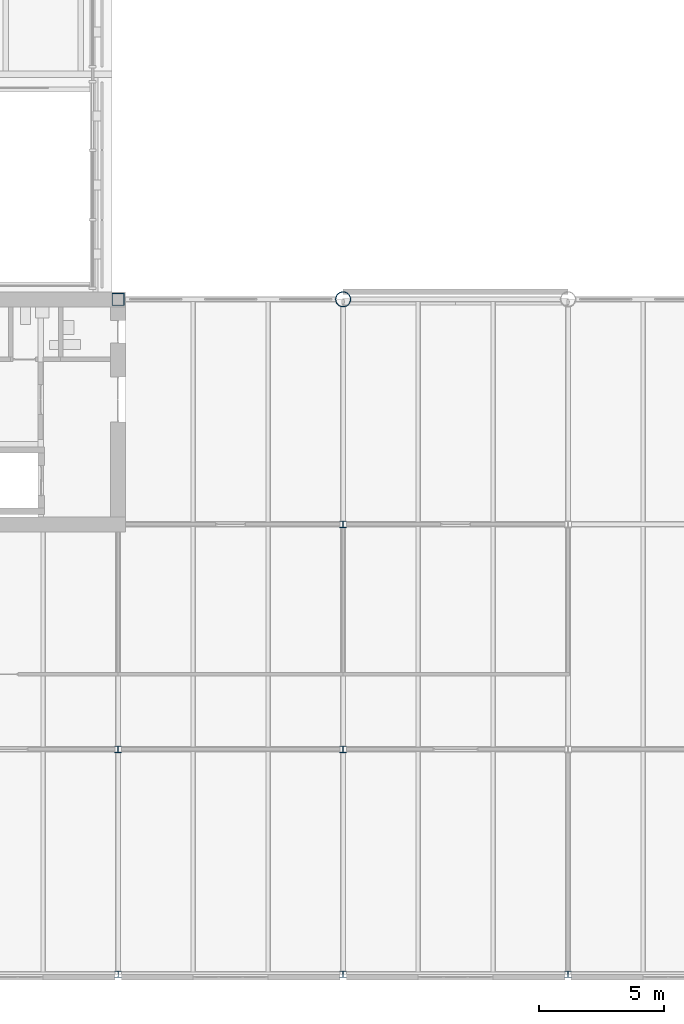
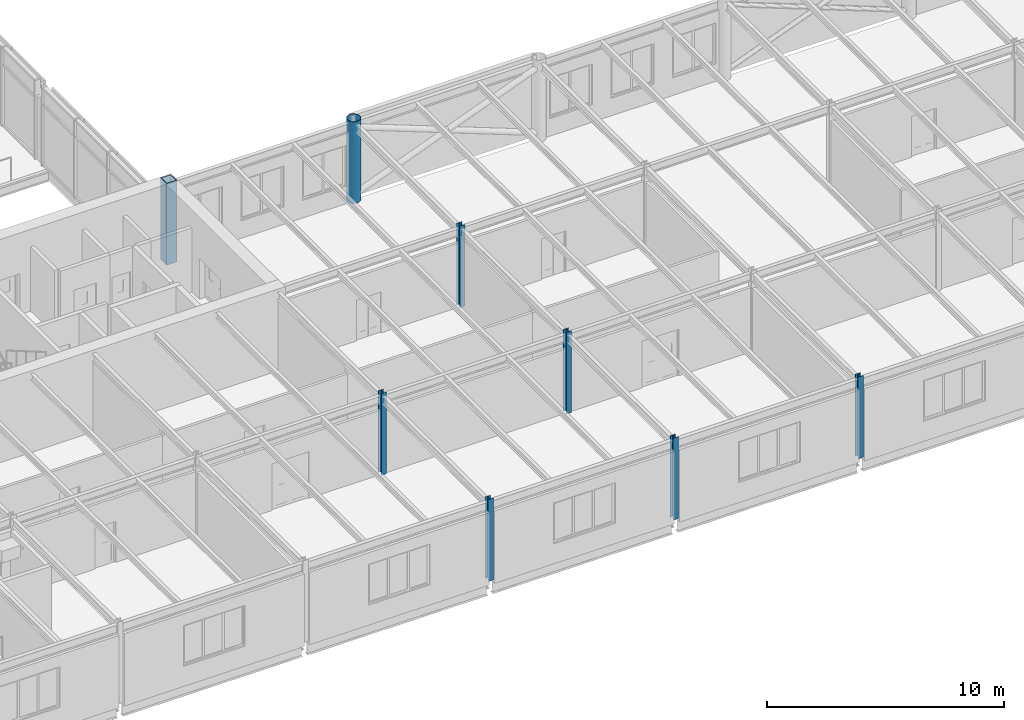
# One storey, part 2 of 123: 8 columns.
"""IFC4 building model written with IfcOpenShell, lengths in metres."""

import ifcopenshell
import ifcopenshell.guid

model = None  # the IFC model being written
_history = None  # IfcOwnerHistory: only IFC2X3 demands one
_inside = {}  # id of a spatial element -> (the spatial element, [elements in it])
_under = {}  # id of a project, library or spatial element -> (it, [spatial elements below it])
_declared = {}  # id of a project -> (the project, [libraries it declares])
_typed = {}  # id of a type object -> (the type object, [elements of that type])
_made_of = {}  # id of a material, layer set ... -> (it, [elements and type objects made of it])


def new_model(schema):
    """Start an empty IFC model of exactly this schema.

    Asked for "IFC4X3", IfcOpenShell would pick the latest addendum, in which some entities
    have other attributes; the version numbers below select the first issue.
    IFC2X3 requires an IfcOwnerHistory on every rooted entity: one is made here for all.
    """
    global model, _history
    if schema == "IFC4X3":
        model = ifcopenshell.file(schema_version=(4, 3, 0, 0))
    else:
        model = ifcopenshell.file(schema=schema)
    _inside.clear()
    _under.clear()
    _declared.clear()
    _typed.clear()
    _made_of.clear()
    _history = None
    if model.schema == "IFC2X3":
        org = make("IfcOrganization", Name="unknown")
        user = make(
            "IfcPersonAndOrganization",
            ThePerson=make("IfcPerson", FamilyName="unknown"),
            TheOrganization=org,
        )
        app = make(
            "IfcApplication",
            ApplicationDeveloper=org,
            Version="unknown",
            ApplicationFullName="unknown",
            ApplicationIdentifier="unknown",
        )
        _history = make(
            "IfcOwnerHistory",
            OwningUser=user,
            OwningApplication=app,
            ChangeAction="ADDED",
            CreationDate=0,
        )
    return model


def make(cls, **values):
    """One entity of the class cls with the attributes given. An attribute that is None is left unset."""
    return model.create_entity(
        cls, **{name: value for name, value in values.items() if value is not None}
    )


def rooted(cls, **values):
    """An entity with a GlobalId (a new one), such as an element, a storey or a relation."""
    return make(cls, GlobalId=ifcopenshell.guid.new(), OwnerHistory=_history, **values)


def si_unit(unit_type, name, prefix=None):
    """IfcSIUnit, for example si_unit("LENGTHUNIT", "METRE", prefix="MILLI")."""
    return make("IfcSIUnit", UnitType=unit_type, Prefix=prefix, Name=name)


def assignment(units):
    """IfcUnitAssignment: the units of a project."""
    return None if units is None else make("IfcUnitAssignment", Units=units)


def point(xyz):
    """IfcCartesianPoint."""
    return None if xyz is None else make("IfcCartesianPoint", Coordinates=xyz)


def direction(xyz):
    """IfcDirection."""
    return None if xyz is None else make("IfcDirection", DirectionRatios=xyz)


def frame(location, z_axis=None, x_axis=None):
    """IfcAxis2Placement3D, a coordinate frame: its origin and axes. An axis left out is left unset."""
    return make(
        "IfcAxis2Placement3D",
        Location=point(location),
        Axis=direction(z_axis),
        RefDirection=direction(x_axis),
    )


def frame_2d(location, x_axis=None):
    """IfcAxis2Placement2D, a coordinate frame in the plane: its origin and x axis."""
    return make(
        "IfcAxis2Placement2D", Location=point(location), RefDirection=direction(x_axis)
    )


def origin():
    """The frame at (0, 0, 0) with its axes left unset."""
    return frame((0.0, 0.0, 0.0))


def origin_2d():
    """The frame at (0, 0) in the plane with its x axis left unset."""
    return frame_2d((0.0, 0.0))


def place(relative_to, where):
    """IfcLocalPlacement: puts the frame where relative to a parent placement (None: the world)."""
    return make(
        "IfcLocalPlacement", PlacementRelTo=relative_to, RelativePlacement=where
    )


def context(
    kind, dimensions, precision=None, world=None, true_north=None, identifier=None
):
    """IfcGeometricRepresentationContext, for example the 3D "Model" context."""
    return make(
        "IfcGeometricRepresentationContext",
        ContextIdentifier=identifier,
        ContextType=kind,
        CoordinateSpaceDimension=dimensions,
        Precision=precision,
        WorldCoordinateSystem=world,
        TrueNorth=true_north,
    )


def subcontext(parent, identifier, kind, view, scale=None):
    """IfcGeometricRepresentationSubContext, for example "Body" below "Model"."""
    return make(
        "IfcGeometricRepresentationSubContext",
        ContextIdentifier=identifier,
        ContextType=kind,
        ParentContext=parent,
        TargetScale=scale,
        TargetView=view,
    )


def project(units=None, contexts=None):
    """IfcProject with its units and contexts."""
    return rooted(
        "IfcProject",
        Name="project",
        RepresentationContexts=contexts,
        UnitsInContext=assignment(units),
    )


def spatial(cls, under=None, at=None, **own):
    """A site, building, storey or space (cls), placed at a placement, below another one or the project."""
    s = rooted(cls, ObjectPlacement=at, **own)
    if under is not None:
        _under.setdefault(under.id(), (under, []))[1].append(s)
    return s


def profile(cls, at=None, kind="AREA", **sizes):
    """A parametric profile (cls). Its sizes go by their IFC names, for example OverallWidth=200.0."""
    return make(cls, ProfileType=kind, Position=at, **sizes)


def hollow_rectangle(**sizes):
    """IfcRectangleHollowProfileDef."""
    return profile("IfcRectangleHollowProfileDef", **sizes)


def hollow_circle(**sizes):
    """IfcCircleHollowProfileDef."""
    return profile("IfcCircleHollowProfileDef", **sizes)


def i_section(**sizes):
    """IfcIShapeProfileDef."""
    return profile("IfcIShapeProfileDef", **sizes)


def extrude(swept, where, along, depth):
    """IfcExtrudedAreaSolid: the profile swept, set in the frame where, extruded along a direction by depth."""
    return make(
        "IfcExtrudedAreaSolid",
        SweptArea=swept,
        Position=where,
        ExtrudedDirection=direction(along),
        Depth=depth,
    )


def shape(context_of_items, identifier, shape_type, items):
    """IfcShapeRepresentation: the items that make up one representation, for example the "Body"."""
    return make(
        "IfcShapeRepresentation",
        ContextOfItems=context_of_items,
        RepresentationIdentifier=identifier,
        RepresentationType=shape_type,
        Items=items,
    )


def material(Name=None, Category=None):
    """IfcMaterial."""
    return make("IfcMaterial", Name=Name, Category=Category)


def material_profile(
    of_material, cross_section, Name=None, Category=None, Priority=None
):
    """IfcMaterialProfile: a cross section and its material."""
    return make(
        "IfcMaterialProfile",
        Name=Name,
        Material=of_material,
        Profile=cross_section,
        Priority=Priority,
        Category=Category,
    )


def profile_set(profiles, Name=None, composite=None):
    """IfcMaterialProfileSet."""
    return make(
        "IfcMaterialProfileSet",
        Name=Name,
        MaterialProfiles=profiles,
        CompositeProfile=composite,
    )


def made_of(thing, what):
    """Note that an element or type object is made of a material, layer set ...; save() writes the relation."""
    if what is not None:
        _made_of.setdefault(what.id(), (what, []))[1].append(thing)
    return thing


def type_object(cls, material=None, **own):
    """A type object (cls), such as IfcWallType, which elements share."""
    return made_of(rooted(cls, **own), material)


def element(
    cls,
    number,
    at=None,
    inside=None,
    cuts=None,
    type_object=None,
    material=None,
    context=None,
    identifier="Body",
    shape_type=None,
    held_by="IfcProductDefinitionShape",
    body=None,
    shapes=None,
    **own,
):
    """One element of the class cls, such as IfcWall. Its Tag is "e" and its number.

    at: its placement. inside: the storey or other place that contains it. cuts: it is an
    opening in that element (IfcRelVoidsElement). A single representation is given by context,
    identifier, shape_type and body (its items); several are given by shapes. held_by: the class
    of the entity that holds the representations. save() writes the other relations.
    """
    e = rooted(cls, Tag="e%d" % number, ObjectPlacement=at, **own)
    if body is not None:
        shapes = [shape(context, identifier, shape_type, body)]
    if shapes is not None:
        e.Representation = make(held_by, Representations=shapes)
    if inside is not None:
        _inside.setdefault(inside.id(), (inside, []))[1].append(e)
    if cuts is not None:
        rooted(
            "IfcRelVoidsElement", RelatingBuildingElement=cuts, RelatedOpeningElement=e
        )
    if type_object is not None:
        _typed.setdefault(type_object.id(), (type_object, []))[1].append(e)
    return made_of(e, material)


def aggregate(whole, parts):
    """IfcRelAggregates: a whole, such as a stair, and the parts it consists of."""
    return rooted("IfcRelAggregates", RelatingObject=whole, RelatedObjects=parts)


def save(model, path):
    """Write the relations noted so far, then the file.

    IfcRelAggregates (storeys below a building ...), IfcRelContainedInSpatialStructure (elements
    in a storey), IfcRelDefinesByType, IfcRelAssociatesMaterial and IfcRelDeclares: one each for
    every whole, place, type object, material and project.
    """
    for whole, parts in _under.values():
        aggregate(whole, parts)
    for where, things in _inside.values():
        rooted(
            "IfcRelContainedInSpatialStructure",
            RelatedElements=things,
            RelatingStructure=where,
        )
    for kind, things in _typed.values():
        rooted("IfcRelDefinesByType", RelatedObjects=things, RelatingType=kind)
    for what, things in _made_of.values():
        rooted("IfcRelAssociatesMaterial", RelatedObjects=things, RelatingMaterial=what)
    for by, libraries in _declared.values():
        rooted("IfcRelDeclares", RelatingContext=by, RelatedDefinitions=libraries)
    model.write(path)


model = new_model("IFC4")

# Units and contexts
model_context = context("Model", 3, precision=1e-05, world=origin(), true_north=direction((0.0, 1.0)))
body_context = subcontext(model_context, "Body", "Model", "MODEL_VIEW")
ifc_project = project(units=[si_unit("LENGTHUNIT", "METRE"), si_unit("AREAUNIT", "SQUARE_METRE"), si_unit("VOLUMEUNIT", "CUBIC_METRE"), si_unit("PLANEANGLEUNIT", "RADIAN"), si_unit("MASSUNIT", "GRAM", prefix="KILO")], contexts=[model_context])

# Site, building, storey
site_placement = place(None, origin())
site = spatial("IfcSite", under=ifc_project, at=site_placement, CompositionType="ELEMENT")
building_placement = place(site_placement, origin())
building = spatial("IfcBuilding", under=site, at=building_placement, Name="Baradari Gate Terminus", CompositionType="ELEMENT")
storey_placement = place(building_placement, frame((0.0, 0.0, 7.5)))
storey = spatial("IfcBuildingStorey", under=building, at=storey_placement, Name="L01", CompositionType="ELEMENT", Elevation=7.5)

# Columns
ifc_material_1 = material(Name="Steel S355", Category="steel")
ifc_material_profile_1 = material_profile(ifc_material_1, hollow_rectangle(XDim=0.5, YDim=0.5, WallThickness=0.031982421875, at=origin_2d()), Name="FB 500x500x32")
ifc_profile_set_1 = profile_set([ifc_material_profile_1], Name="Steel S355")
column_type_1 = type_object("IfcColumnType", Name="Abutment end post C06 FB 500x500x32", PredefinedType="COLUMN", material=ifc_profile_set_1)
column_1_placement = place(storey_placement, frame((90.0, 36.0, 0.0), z_axis=(0.0, 0.0, 1.0), x_axis=(1.0, 0.0, 0.0)))
element("IfcColumn", 1, at=column_1_placement, inside=storey, type_object=column_type_1, Name="C06 column 11-E L01", PredefinedType="COLUMN", context=body_context, shape_type="SweptSolid", body=[
    extrude(hollow_rectangle(XDim=0.5, YDim=0.5, WallThickness=0.031982421875, at=origin_2d()), origin(), (0.0, 0.0, 1.0), 4.199951171875),
])
ifc_material_2 = material(Name="Steel S355", Category="steel")
ifc_material_profile_2 = material_profile(ifc_material_2, hollow_circle(Radius=0.304931640625, WallThickness=0.02001953125, at=origin_2d()), Name="CHS 610x20")
ifc_profile_set_2 = profile_set([ifc_material_profile_2], Name="Steel S355")
column_type_2 = type_object("IfcColumnType", Name="Braced shed column C09 CHS 610x20", PredefinedType="COLUMN", material=ifc_profile_set_2)
column_2_placement = place(storey_placement, frame((99.0, 36.0, 0.0), z_axis=(0.0, 0.0, 1.0), x_axis=(1.0, 0.0, 0.0)))
element("IfcColumn", 2, at=column_2_placement, inside=storey, type_object=column_type_2, Name="C09 column 12-E L01", PredefinedType="COLUMN", context=body_context, shape_type="SweptSolid", body=[
    extrude(hollow_circle(Radius=0.304931640625, WallThickness=0.02001953125, at=origin_2d()), origin(), (0.0, 0.0, 1.0), 4.199951171875),
])
ifc_material_3 = material(Name="Steel S355", Category="steel")
ifc_material_profile_3 = material_profile(ifc_material_3, i_section(OverallWidth=0.25634765625, OverallDepth=0.26025390625, WebThickness=0.01025390625, FlangeThickness=0.017333984375, FilletRadius=0.0126953125, at=origin_2d()), Name="UC 254x254x89")
ifc_profile_set_3 = profile_set([ifc_material_profile_3], Name="Steel S355")
column_type_3 = type_object("IfcColumnType", Name="South wing column C04 UC 254x254x89", PredefinedType="COLUMN", material=ifc_profile_set_3)
for number, where, z_axis, x_axis, name in (
    (3, (90.0, 18.0, 0.0), (0.0, 0.0, 1.0), (1.0, 0.0, 0.0), "C04 column 11-C L01"),
    (4, (99.0, 18.0, 0.0), (0.0, 0.0, 1.0), (1.0, 0.0, 0.0), "C04 column 12-C L01"),
    (5, (99.0, 27.0, 0.0), (0.0, 0.0, 1.0), (1.0, 0.0, 0.0), "C04 column 12-D L01"),
):
    element("IfcColumn", number, at=place(storey_placement, frame(where, z_axis=z_axis, x_axis=x_axis)), inside=storey, type_object=column_type_3, Name=name, PredefinedType="COLUMN", context=body_context, shape_type="SweptSolid", body=[
        extrude(i_section(OverallWidth=0.25634765625, OverallDepth=0.26025390625, WebThickness=0.01025390625, FlangeThickness=0.017333984375, FilletRadius=0.0126953125, at=origin_2d()), origin(), (0.0, 0.0, 1.0), 4.199951171875),
    ])
ifc_material_4 = material(Name="Steel S355", Category="steel")
ifc_material_profile_4 = material_profile(ifc_material_4, i_section(OverallWidth=0.254638671875, OverallDepth=0.254150390625, WebThickness=0.008544921875, FlangeThickness=0.01416015625, FilletRadius=0.0126953125, at=origin_2d()), Name="UC 254x254x73")
ifc_profile_set_4 = profile_set([ifc_material_profile_4], Name="Steel S355")
column_type_4 = type_object("IfcColumnType", Name="South wing facade column C03 UC 254x254x73", PredefinedType="COLUMN", material=ifc_profile_set_4)
for number, where, z_axis, x_axis, name in (
    (6, (90.0, 9.0, 0.0), (0.0, 0.0, 1.0), (1.0, 0.0, 0.0), "C03 column 11-B L01"),
    (7, (99.0, 9.0, 0.0), (0.0, 0.0, 1.0), (1.0, 0.0, 0.0), "C03 column 12-B L01"),
    (8, (108.0, 9.0, 0.0), (0.0, 0.0, 1.0), (1.0, 0.0, 0.0), "C03 column 13-B L01"),
):
    element("IfcColumn", number, at=place(storey_placement, frame(where, z_axis=z_axis, x_axis=x_axis)), inside=storey, type_object=column_type_4, Name=name, PredefinedType="COLUMN", context=body_context, shape_type="SweptSolid", body=[
        extrude(i_section(OverallWidth=0.254638671875, OverallDepth=0.254150390625, WebThickness=0.008544921875, FlangeThickness=0.01416015625, FilletRadius=0.0126953125, at=origin_2d()), origin(), (0.0, 0.0, 1.0), 4.199951171875),
    ])

save(model, "model.ifc")
